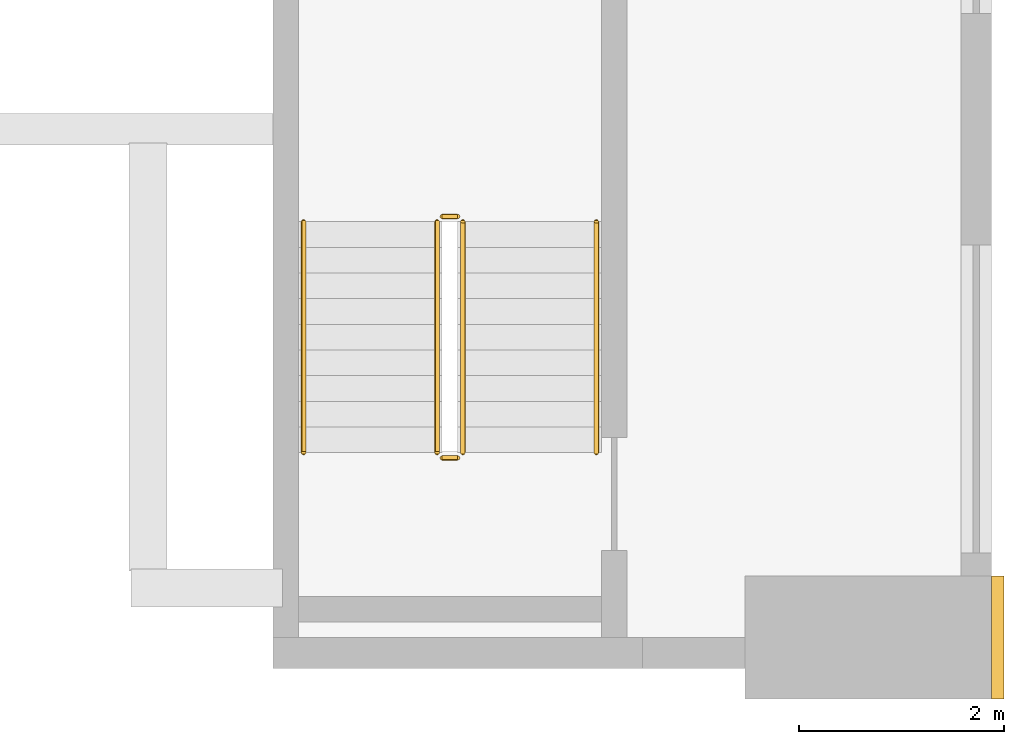
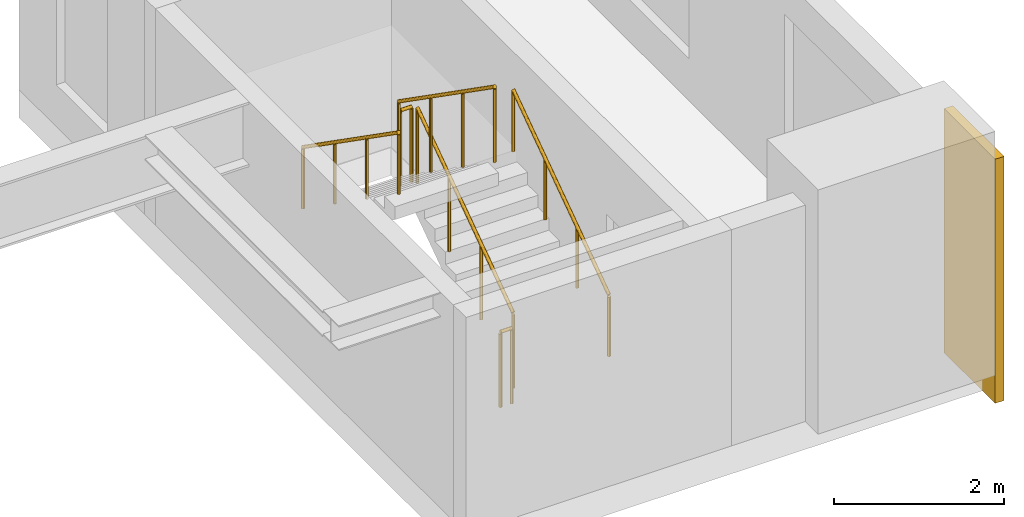
# One storey, part 7 of 8: 6 railings, 1 covering.
"""IFC4 building model written with IfcOpenShell, lengths in metres."""

from ifc_helpers import new_model, si_unit, direction, frame, origin, origin_2d, place, context, subcontext, project, spatial, rectangle, circle, extrude, source, transform, mapped, material, type_object, element, save


model = new_model("IFC4")

# Units and contexts
model_context = context("Model", 3, precision=1e-05, world=origin(), true_north=direction((0.0, 1.0)))
body_context = subcontext(model_context, "Body", "Model", "MODEL_VIEW")
ifc_project = project(units=[si_unit("LENGTHUNIT", "METRE"), si_unit("AREAUNIT", "SQUARE_METRE"), si_unit("VOLUMEUNIT", "CUBIC_METRE"), si_unit("PLANEANGLEUNIT", "RADIAN"), si_unit("MASSUNIT", "GRAM", prefix="KILO")], contexts=[model_context])

# Site, building, storey
site_placement = place(None, origin())
site = spatial("IfcSite", under=ifc_project, at=site_placement, CompositionType="ELEMENT")
building_placement = place(site_placement, origin())
building = spatial("IfcBuilding", under=site, at=building_placement, Name="Aurelian Terraces", CompositionType="ELEMENT")
storey_placement = place(building_placement, frame((0.0, 0.0, 344.0)))
storey = spatial("IfcBuildingStorey", under=building, at=storey_placement, Name="L81", CompositionType="ELEMENT", Elevation=344.0)

# Covering
ifc_material_1 = material(Name="Terracotta rainscreen cladding relief", Category="masonry")
covering_type = type_object("IfcCoveringType", Name="BAGUETTE-TC", PredefinedType="CLADDING", material=ifc_material_1)
shared_shape_1 = source(origin(), body_context, "Body", "SweptSolid", [
    extrude(rectangle(XDim=0.12, YDim=1.2, at=origin_2d()), origin(), (0.0, 0.0, 1.0), 3.5),
])
covering_placement = place(storey_placement, frame((47.46, 0.3, -0.4), z_axis=(0.0, 0.0, 1.0), x_axis=(1.0, 0.0, 0.0)))
element("IfcCovering", 1, at=covering_placement, inside=storey, type_object=covering_type, Name="BAGUETTE pier L81 2", PredefinedType="CLADDING", context=body_context, shape_type="MappedRepresentation", body=[
    mapped(shared_shape_1, transform((0.0, 0.0, 0.0), scale=1.0)),
])

# Railings
ifc_material_2 = material(Name="Stainless steel", Category="steel")
railing_type_1 = type_object("IfcRailingType", Name="Stair guard 1100", PredefinedType="GUARDRAIL", material=ifc_material_2)
shared_shape_2 = source(origin(), body_context, "Body", "SweptSolid", [
    extrude(circle(Radius=0.024, at=origin_2d()), frame((0.0, 0.0, 1.076), z_axis=(-1.0, 0.0, 0.0), x_axis=(0.0, -1.0, 0.0)), (0.0, 0.0, 1.0), 0.15),
    extrude(circle(Radius=0.021, at=origin_2d()), origin(), (0.0, 0.0, 1.0), 1.052),
    extrude(circle(Radius=0.021, at=origin_2d()), frame((-0.15, 0.0, 0.0)), (0.0, 0.0, 1.0), 1.052),
])
for number, where, name in (
    (2, (42.2, 4.4, 1.75), "L81 S2 stair guard 2"),
    (3, (42.2, 2.05, 0.0), "L81 S2 stair guard 4"),
):
    element("IfcRailing", number, at=place(storey_placement, frame(where)), inside=storey, type_object=railing_type_1, Name=name, PredefinedType="GUARDRAIL", context=body_context, shape_type="MappedRepresentation", body=[
        mapped(shared_shape_2, transform((0.0, 0.0, 0.0), scale=1.0)),
    ])
shared_shape_3 = source(origin(), body_context, "Body", "SweptSolid", [
    extrude(circle(Radius=0.024, at=origin_2d()), frame((0.0, 0.0, 1.076), z_axis=(0.0, 0.819231920519, 0.573462344363), x_axis=(-1.0, 0.0, 0.0)), (0.0, 0.0, 1.0), 2.7465),
    extrude(circle(Radius=0.021, at=origin_2d()), origin(), (0.0, 0.0, 1.0), 1.052),
    extrude(circle(Radius=0.021, at=origin_2d()), frame((0.0, 0.75, 0.525)), (0.0, 0.0, 1.0), 1.052),
    extrude(circle(Radius=0.021, at=origin_2d()), frame((0.0, 1.5, 1.05)), (0.0, 0.0, 1.0), 1.052),
    extrude(circle(Radius=0.021, at=origin_2d()), frame((0.0, 2.25, 1.575)), (0.0, 0.0, 1.0), 1.052),
])
railing_1_placement = place(storey_placement, frame((42.25, 2.1, 0.175)))
element("IfcRailing", 4, at=railing_1_placement, inside=storey, type_object=railing_type_1, Name="L81 S2 stair guard 1", PredefinedType="GUARDRAIL", context=body_context, shape_type="MappedRepresentation", body=[
    mapped(shared_shape_3, transform((0.0, 0.0, 0.0), scale=1.0)),
])
shared_shape_4 = source(origin(), body_context, "Body", "SweptSolid", [
    extrude(circle(Radius=0.024, at=origin_2d()), frame((0.0, 0.0, 1.076), z_axis=(0.0, -0.819231920519, 0.573462344363), x_axis=(1.0, 0.0, 0.0)), (0.0, 0.0, 1.0), 2.7465),
    extrude(circle(Radius=0.021, at=origin_2d()), origin(), (0.0, 0.0, 1.0), 1.052),
    extrude(circle(Radius=0.021, at=origin_2d()), frame((0.0, -0.75, 0.525)), (0.0, 0.0, 1.0), 1.052),
    extrude(circle(Radius=0.021, at=origin_2d()), frame((0.0, -1.5, 1.05)), (0.0, 0.0, 1.0), 1.052),
    extrude(circle(Radius=0.021, at=origin_2d()), frame((0.0, -2.25, 1.575)), (0.0, 0.0, 1.0), 1.052),
])
railing_2_placement = place(storey_placement, frame((42.0, 4.35, 1.925)))
element("IfcRailing", 5, at=railing_2_placement, inside=storey, type_object=railing_type_1, Name="L81 S2 stair guard 3", PredefinedType="GUARDRAIL", context=body_context, shape_type="MappedRepresentation", body=[
    mapped(shared_shape_4, transform((0.0, 0.0, 0.0), scale=1.0)),
])
railing_type_2 = type_object("IfcRailingType", Name="Stair handrail", PredefinedType="HANDRAIL", material=ifc_material_2)
shared_shape_5 = source(origin(), body_context, "Body", "SweptSolid", [
    extrude(circle(Radius=0.024, at=origin_2d()), frame((0.0, 0.0, 0.876), z_axis=(0.0, 0.819231920519, 0.573462344363), x_axis=(-1.0, 0.0, 0.0)), (0.0, 0.0, 1.0), 2.7465),
    extrude(circle(Radius=0.021, at=origin_2d()), origin(), (0.0, 0.0, 1.0), 0.852),
    extrude(circle(Radius=0.021, at=origin_2d()), frame((0.0, 0.75, 0.525)), (0.0, 0.0, 1.0), 0.852),
    extrude(circle(Radius=0.021, at=origin_2d()), frame((0.0, 1.5, 1.05)), (0.0, 0.0, 1.0), 0.852),
    extrude(circle(Radius=0.021, at=origin_2d()), frame((0.0, 2.25, 1.575)), (0.0, 0.0, 1.0), 0.852),
])
railing_3_placement = place(storey_placement, frame((43.55, 2.1, 0.175)))
element("IfcRailing", 6, at=railing_3_placement, inside=storey, type_object=railing_type_2, Name="L81 S2 stair handrail 1", PredefinedType="HANDRAIL", context=body_context, shape_type="MappedRepresentation", body=[
    mapped(shared_shape_5, transform((0.0, 0.0, 0.0), scale=1.0)),
])
shared_shape_6 = source(origin(), body_context, "Body", "SweptSolid", [
    extrude(circle(Radius=0.024, at=origin_2d()), frame((0.0, 0.0, 0.876), z_axis=(0.0, -0.819231920519, 0.573462344363), x_axis=(1.0, 0.0, 0.0)), (0.0, 0.0, 1.0), 2.7465),
    extrude(circle(Radius=0.021, at=origin_2d()), origin(), (0.0, 0.0, 1.0), 0.852),
    extrude(circle(Radius=0.021, at=origin_2d()), frame((0.0, -0.75, 0.525)), (0.0, 0.0, 1.0), 0.852),
    extrude(circle(Radius=0.021, at=origin_2d()), frame((0.0, -1.5, 1.05)), (0.0, 0.0, 1.0), 0.852),
    extrude(circle(Radius=0.021, at=origin_2d()), frame((0.0, -2.25, 1.575)), (0.0, 0.0, 1.0), 0.852),
])
railing_4_placement = place(storey_placement, frame((40.7, 4.35, 1.925)))
element("IfcRailing", 7, at=railing_4_placement, inside=storey, type_object=railing_type_2, Name="L81 S2 stair handrail 2", PredefinedType="HANDRAIL", context=body_context, shape_type="MappedRepresentation", body=[
    mapped(shared_shape_6, transform((0.0, 0.0, 0.0), scale=1.0)),
])

save(model, "model.ifc")
